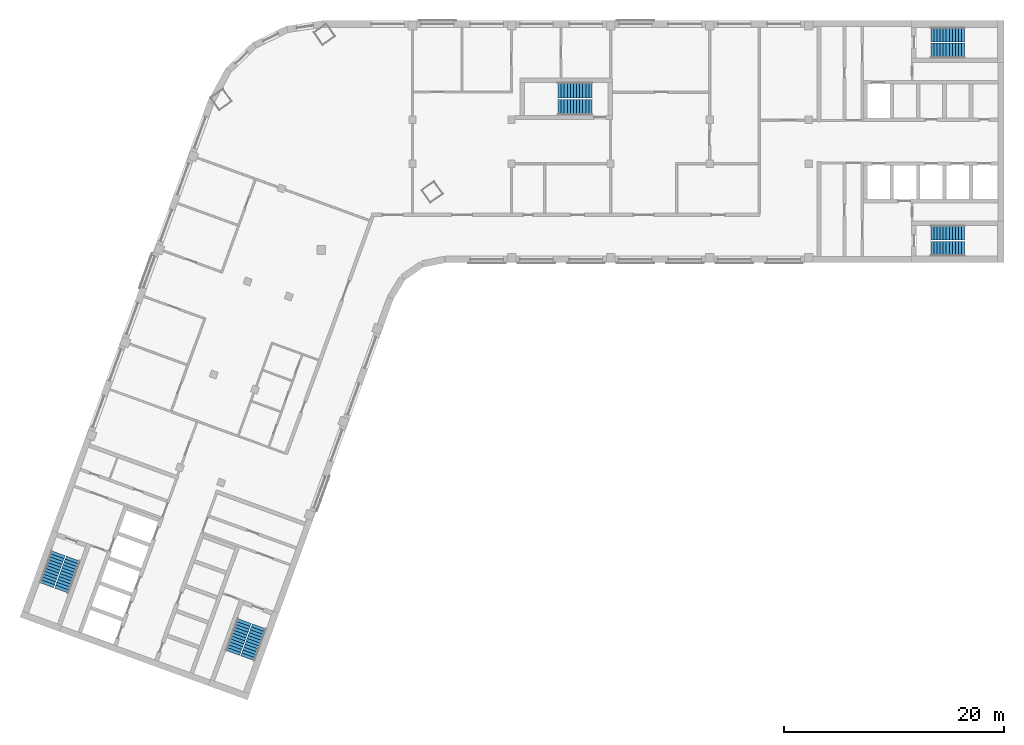
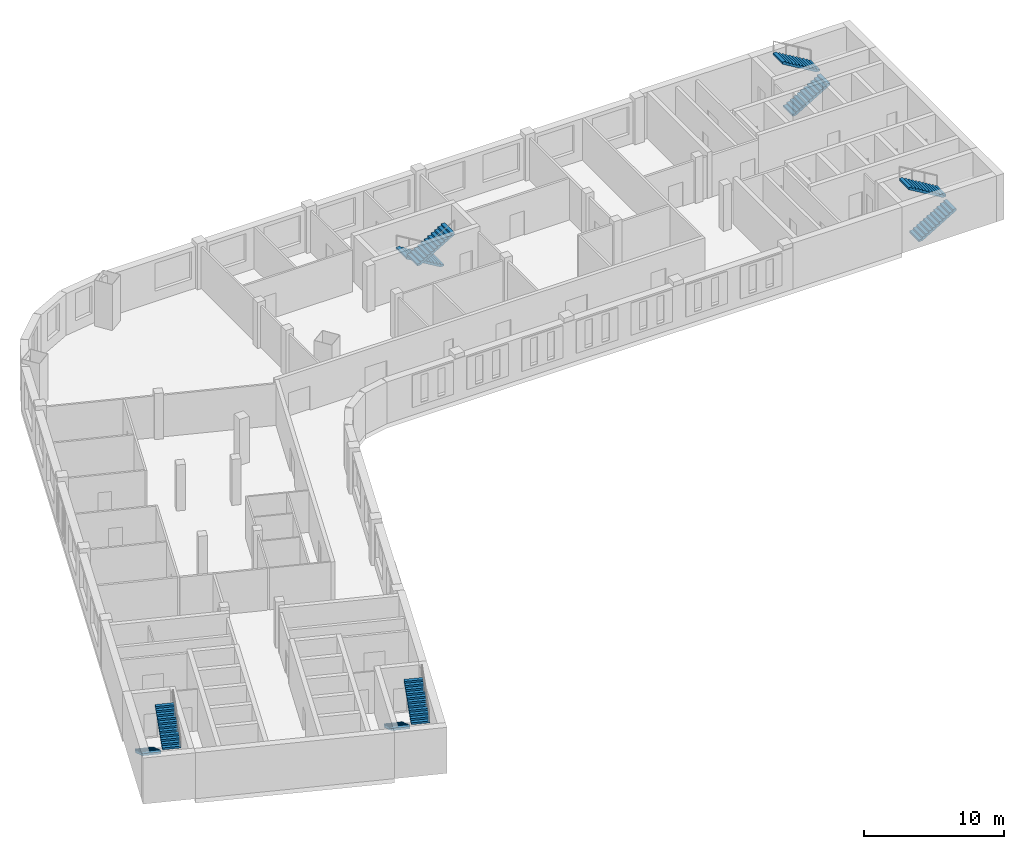
# One storey, part 7 of 8: 10 stair flights, 5 elements without a shape of their own.
"""IFC4 building model written with IfcOpenShell, lengths in metres."""

from ifc_helpers import new_model, si_unit, direction, frame, origin, place, context, subcontext, project, spatial, polyline, outline, extrude, material, type_object, element, aggregate, save


model = new_model("IFC4")

# Units and contexts
model_context = context("Model", 3, precision=1e-05, world=origin(), true_north=direction((0.0, 1.0)))
body_context = subcontext(model_context, "Body", "Model", "MODEL_VIEW")
ifc_project = project(units=[si_unit("LENGTHUNIT", "METRE"), si_unit("AREAUNIT", "SQUARE_METRE"), si_unit("VOLUMEUNIT", "CUBIC_METRE"), si_unit("PLANEANGLEUNIT", "RADIAN"), si_unit("MASSUNIT", "GRAM", prefix="KILO")], contexts=[model_context])

# Site, building, storey
site_placement = place(None, origin())
site = spatial("IfcSite", under=ifc_project, at=site_placement, CompositionType="ELEMENT")
building_placement = place(site_placement, origin())
building = spatial("IfcBuilding", under=site, at=building_placement, Name="Skarvind Civic Tower", CompositionType="ELEMENT")
storey_placement = place(building_placement, frame((0.0, 0.0, 174.5)))
storey = spatial("IfcBuildingStorey", under=building, at=storey_placement, Name="L41", CompositionType="ELEMENT", Elevation=174.5)

# Stair, stair flights
ifc_material = material(Name="Concrete C40/50", Category="concrete")
stair_type_1 = type_object("IfcStairType", Name="Exit stair 1450, half-turn, concrete", PredefinedType="HALF_TURN_STAIR", material=ifc_material)
stair_1_placement = place(storey_placement, origin())
stair_1 = element("IfcStair", 1, at=stair_1_placement, inside=storey, type_object=stair_type_1, Name="Exit stair CM", PredefinedType="HALF_TURN_STAIR")
stair_flight_type_1 = type_object("IfcStairFlightType", Name="Stair flight 1450, concrete", PredefinedType="STRAIGHT", material=ifc_material)
stair_flight_1_placement = place(storey_placement, frame((70.550048828125, 132.675048828125, 0.0), z_axis=(0.0, 0.0, 1.0), x_axis=(-1.0, 0.0, 0.0)))
stair_flight_1 = element("IfcStairFlight", 2, at=stair_flight_1_placement, type_object=stair_flight_type_1, Name="ST-CM flight 1", NumberOfRisers=12, NumberOfTreads=11, PredefinedType="STRAIGHT", RiserHeight=0.166666667, TreadLength=0.28, context=body_context, shape_type="SweptSolid", body=[
    extrude(outline(polyline([(0.0, 0.0), (0.0, 0.166748046875), (0.280029296875, 0.166748046875), (0.280029296875, 0.333251953125), (0.56005859375, 0.333251953125), (0.56005859375, 0.5), (0.840087890625, 0.5), (0.840087890625, 0.666748046875), (1.1201171875, 0.666748046875), (1.1201171875, 0.833251953125), (1.39990234375, 0.833251953125), (1.39990234375, 1.0), (1.679931640625, 1.0), (1.679931640625, 1.166748046875), (1.9599609375, 1.166748046875), (1.9599609375, 1.333251953125), (2.239990234375, 1.333251953125), (2.239990234375, 1.5), (2.52001953125, 1.5), (2.52001953125, 1.666748046875), (2.800048828125, 1.666748046875), (2.800048828125, 1.833251953125), (3.080078125, 1.833251953125), (3.080078125, 2.0), (3.080078125, 1.658935546875), (0.29296875, 0.0), (0.0, 0.0)])), frame((0.0, 0.72509765625, 0.0), z_axis=(0.0, -1.0, 0.0), x_axis=(1.0, 0.0, 0.0)), (0.0, 0.0, 1.0), 1.449951171875),
])
stair_flight_2_placement = place(storey_placement, frame((67.469970703125, 131.125, 2.0), z_axis=(0.0, 0.0, 1.0), x_axis=(1.0, 0.0, 0.0)))
stair_flight_2 = element("IfcStairFlight", 3, at=stair_flight_2_placement, type_object=stair_flight_type_1, Name="ST-CM flight 2", NumberOfRisers=12, NumberOfTreads=11, PredefinedType="STRAIGHT", RiserHeight=0.166666667, TreadLength=0.28, context=body_context, shape_type="SweptSolid", body=[
    extrude(outline(polyline([(0.0, 0.0), (0.0, 0.166748046875), (0.280029296875, 0.166748046875), (0.280029296875, 0.333251953125), (0.56005859375, 0.333251953125), (0.56005859375, 0.5), (0.840087890625, 0.5), (0.840087890625, 0.666748046875), (1.1201171875, 0.666748046875), (1.1201171875, 0.833251953125), (1.39990234375, 0.833251953125), (1.39990234375, 1.0), (1.679931640625, 1.0), (1.679931640625, 1.166748046875), (1.9599609375, 1.166748046875), (1.9599609375, 1.333251953125), (2.239990234375, 1.333251953125), (2.239990234375, 1.5), (2.52001953125, 1.5), (2.52001953125, 1.666748046875), (2.800048828125, 1.666748046875), (2.800048828125, 1.833251953125), (3.080078125, 1.833251953125), (3.080078125, 2.0), (3.080078125, 1.658935546875), (0.29296875, 0.0), (0.0, 0.0)])), frame((0.0, 0.72509765625, 0.0), z_axis=(0.0, -1.0, 0.0), x_axis=(1.0, 0.0, 0.0)), (0.0, 0.0, 1.0), 1.449951171875),
])
aggregate(stair_1, [stair_flight_1, stair_flight_2])

stair_type_2 = type_object("IfcStairType", Name="Exit stair, half-turn, concrete", PredefinedType="HALF_TURN_STAIR", material=ifc_material)
stair_2_placement = place(storey_placement, origin())
stair_2 = element("IfcStair", 4, at=stair_2_placement, inside=storey, type_object=stair_type_2, Name="Exit stair C1S", PredefinedType="HALF_TURN_STAIR")
stair_flight_type_2 = type_object("IfcStairFlightType", Name="Stair flight, concrete", PredefinedType="STRAIGHT", material=ifc_material)
stair_flight_3_placement = place(storey_placement, frame((101.35009765625, 136.27490234375, 0.0), z_axis=(0.0, 0.0, 1.0), x_axis=(1.0, 0.0, 0.0)))
stair_flight_3 = element("IfcStairFlight", 5, at=stair_flight_3_placement, type_object=stair_flight_type_2, Name="ST-C1S flight 1", NumberOfRisers=12, NumberOfTreads=11, PredefinedType="STRAIGHT", RiserHeight=0.166666667, TreadLength=0.28, context=body_context, shape_type="SweptSolid", body=[
    extrude(outline(polyline([(0.0, 0.0), (0.0, 0.166748046875), (0.280029296875, 0.166748046875), (0.280029296875, 0.333251953125), (0.56005859375, 0.333251953125), (0.56005859375, 0.5), (0.840087890625, 0.5), (0.840087890625, 0.666748046875), (1.1201171875, 0.666748046875), (1.1201171875, 0.833251953125), (1.39990234375, 0.833251953125), (1.39990234375, 1.0), (1.679931640625, 1.0), (1.679931640625, 1.166748046875), (1.9599609375, 1.166748046875), (1.9599609375, 1.333251953125), (2.239990234375, 1.333251953125), (2.239990234375, 1.5), (2.52001953125, 1.5), (2.52001953125, 1.666748046875), (2.800048828125, 1.666748046875), (2.800048828125, 1.833251953125), (3.080078125, 1.833251953125), (3.080078125, 2.0), (3.080078125, 1.658935546875), (0.29296875, 0.0), (0.0, 0.0)])), frame((0.0, 0.675048828125, 0.0), z_axis=(0.0, -1.0, 0.0), x_axis=(1.0, 0.0, 0.0)), (0.0, 0.0, 1.0), 1.35009765625),
])
stair_flight_4_placement = place(storey_placement, frame((104.429931640625, 137.72509765625, 2.0), z_axis=(0.0, 0.0, 1.0), x_axis=(-1.0, 0.0, 0.0)))
stair_flight_4 = element("IfcStairFlight", 6, at=stair_flight_4_placement, type_object=stair_flight_type_2, Name="ST-C1S flight 2", NumberOfRisers=12, NumberOfTreads=11, PredefinedType="STRAIGHT", RiserHeight=0.166666667, TreadLength=0.28, context=body_context, shape_type="SweptSolid", body=[
    extrude(outline(polyline([(0.0, 0.0), (0.0, 0.166748046875), (0.280029296875, 0.166748046875), (0.280029296875, 0.333251953125), (0.56005859375, 0.333251953125), (0.56005859375, 0.5), (0.840087890625, 0.5), (0.840087890625, 0.666748046875), (1.1201171875, 0.666748046875), (1.1201171875, 0.833251953125), (1.39990234375, 0.833251953125), (1.39990234375, 1.0), (1.679931640625, 1.0), (1.679931640625, 1.166748046875), (1.9599609375, 1.166748046875), (1.9599609375, 1.333251953125), (2.239990234375, 1.333251953125), (2.239990234375, 1.5), (2.52001953125, 1.5), (2.52001953125, 1.666748046875), (2.800048828125, 1.666748046875), (2.800048828125, 1.833251953125), (3.080078125, 1.833251953125), (3.080078125, 2.0), (3.080078125, 1.658935546875), (0.29296875, 0.0), (0.0, 0.0)])), frame((0.0, 0.675048828125, 0.0), z_axis=(0.0, -1.0, 0.0), x_axis=(1.0, 0.0, 0.0)), (0.0, 0.0, 1.0), 1.35009765625),
])
aggregate(stair_2, [stair_flight_3, stair_flight_4])

stair_3_placement = place(storey_placement, origin())
stair_3 = element("IfcStair", 7, at=stair_3_placement, inside=storey, type_object=stair_type_2, Name="Exit stair C1N", PredefinedType="HALF_TURN_STAIR")
stair_flight_5_placement = place(storey_placement, frame((101.35009765625, 118.27490234375, 0.0), z_axis=(0.0, 0.0, 1.0), x_axis=(1.0, 0.0, 0.0)))
stair_flight_5 = element("IfcStairFlight", 8, at=stair_flight_5_placement, type_object=stair_flight_type_2, Name="ST-C1N flight 1", NumberOfRisers=12, NumberOfTreads=11, PredefinedType="STRAIGHT", RiserHeight=0.166666667, TreadLength=0.28, context=body_context, shape_type="SweptSolid", body=[
    extrude(outline(polyline([(0.0, 0.0), (0.0, 0.166748046875), (0.280029296875, 0.166748046875), (0.280029296875, 0.333251953125), (0.56005859375, 0.333251953125), (0.56005859375, 0.5), (0.840087890625, 0.5), (0.840087890625, 0.666748046875), (1.1201171875, 0.666748046875), (1.1201171875, 0.833251953125), (1.39990234375, 0.833251953125), (1.39990234375, 1.0), (1.679931640625, 1.0), (1.679931640625, 1.166748046875), (1.9599609375, 1.166748046875), (1.9599609375, 1.333251953125), (2.239990234375, 1.333251953125), (2.239990234375, 1.5), (2.52001953125, 1.5), (2.52001953125, 1.666748046875), (2.800048828125, 1.666748046875), (2.800048828125, 1.833251953125), (3.080078125, 1.833251953125), (3.080078125, 2.0), (3.080078125, 1.658935546875), (0.29296875, 0.0), (0.0, 0.0)])), frame((0.0, 0.675048828125, 0.0), z_axis=(0.0, -1.0, 0.0), x_axis=(1.0, 0.0, 0.0)), (0.0, 0.0, 1.0), 1.35009765625),
])
stair_flight_6_placement = place(storey_placement, frame((104.429931640625, 119.72509765625, 2.0), z_axis=(0.0, 0.0, 1.0), x_axis=(-1.0, 0.0, 0.0)))
stair_flight_6 = element("IfcStairFlight", 9, at=stair_flight_6_placement, type_object=stair_flight_type_2, Name="ST-C1N flight 2", NumberOfRisers=12, NumberOfTreads=11, PredefinedType="STRAIGHT", RiserHeight=0.166666667, TreadLength=0.28, context=body_context, shape_type="SweptSolid", body=[
    extrude(outline(polyline([(0.0, 0.0), (0.0, 0.166748046875), (0.280029296875, 0.166748046875), (0.280029296875, 0.333251953125), (0.56005859375, 0.333251953125), (0.56005859375, 0.5), (0.840087890625, 0.5), (0.840087890625, 0.666748046875), (1.1201171875, 0.666748046875), (1.1201171875, 0.833251953125), (1.39990234375, 0.833251953125), (1.39990234375, 1.0), (1.679931640625, 1.0), (1.679931640625, 1.166748046875), (1.9599609375, 1.166748046875), (1.9599609375, 1.333251953125), (2.239990234375, 1.333251953125), (2.239990234375, 1.5), (2.52001953125, 1.5), (2.52001953125, 1.666748046875), (2.800048828125, 1.666748046875), (2.800048828125, 1.833251953125), (3.080078125, 1.833251953125), (3.080078125, 2.0), (3.080078125, 1.658935546875), (0.29296875, 0.0), (0.0, 0.0)])), frame((0.0, 0.675048828125, 0.0), z_axis=(0.0, -1.0, 0.0), x_axis=(1.0, 0.0, 0.0)), (0.0, 0.0, 1.0), 1.35009765625),
])
aggregate(stair_3, [stair_flight_5, stair_flight_6])

stair_4_placement = place(storey_placement, origin())
stair_4 = element("IfcStair", 10, at=stair_4_placement, inside=storey, type_object=stair_type_2, Name="Exit stair C2S", PredefinedType="HALF_TURN_STAIR")
stair_flight_7_placement = place(storey_placement, frame((38.949462890625, 84.43408203125, 0.0), z_axis=(0.0, 0.0, 1.0), x_axis=(-0.342020143326, -0.939692620786, 0.0)))
stair_flight_7 = element("IfcStairFlight", 11, at=stair_flight_7_placement, type_object=stair_flight_type_2, Name="ST-C2S flight 1", NumberOfRisers=12, NumberOfTreads=11, PredefinedType="STRAIGHT", RiserHeight=0.166666667, TreadLength=0.28, context=body_context, shape_type="SweptSolid", body=[
    extrude(outline(polyline([(0.0, 0.0), (0.0, 0.166748046875), (0.280029296875, 0.166748046875), (0.280029296875, 0.333251953125), (0.56005859375, 0.333251953125), (0.56005859375, 0.5), (0.840087890625, 0.5), (0.840087890625, 0.666748046875), (1.1201171875, 0.666748046875), (1.1201171875, 0.833251953125), (1.39990234375, 0.833251953125), (1.39990234375, 1.0), (1.679931640625, 1.0), (1.679931640625, 1.166748046875), (1.9599609375, 1.166748046875), (1.9599609375, 1.333251953125), (2.239990234375, 1.333251953125), (2.239990234375, 1.5), (2.52001953125, 1.5), (2.52001953125, 1.666748046875), (2.800048828125, 1.666748046875), (2.800048828125, 1.833251953125), (3.080078125, 1.833251953125), (3.080078125, 2.0), (3.080078125, 1.658935546875), (0.29296875, 0.0), (0.0, 0.0)])), frame((0.0, 0.675048828125, 0.0), z_axis=(0.0, -1.0, 0.0), x_axis=(1.0, 0.0, 0.0)), (0.0, 0.0, 1.0), 1.35009765625),
])
stair_flight_8_placement = place(storey_placement, frame((39.258544921875, 81.0439453125, 2.0), z_axis=(0.0, 0.0, 1.0), x_axis=(0.342020143326, 0.939692620786, 0.0)))
stair_flight_8 = element("IfcStairFlight", 12, at=stair_flight_8_placement, type_object=stair_flight_type_2, Name="ST-C2S flight 2", NumberOfRisers=12, NumberOfTreads=11, PredefinedType="STRAIGHT", RiserHeight=0.166666667, TreadLength=0.28, context=body_context, shape_type="SweptSolid", body=[
    extrude(outline(polyline([(0.0, 0.0), (0.0, 0.166748046875), (0.280029296875, 0.166748046875), (0.280029296875, 0.333251953125), (0.56005859375, 0.333251953125), (0.56005859375, 0.5), (0.840087890625, 0.5), (0.840087890625, 0.666748046875), (1.1201171875, 0.666748046875), (1.1201171875, 0.833251953125), (1.39990234375, 0.833251953125), (1.39990234375, 1.0), (1.679931640625, 1.0), (1.679931640625, 1.166748046875), (1.9599609375, 1.166748046875), (1.9599609375, 1.333251953125), (2.239990234375, 1.333251953125), (2.239990234375, 1.5), (2.52001953125, 1.5), (2.52001953125, 1.666748046875), (2.800048828125, 1.666748046875), (2.800048828125, 1.833251953125), (3.080078125, 1.833251953125), (3.080078125, 2.0), (3.080078125, 1.658935546875), (0.29296875, 0.0), (0.0, 0.0)])), frame((0.0, 0.675048828125, 0.0), z_axis=(0.0, -1.0, 0.0), x_axis=(1.0, 0.0, 0.0)), (0.0, 0.0, 1.0), 1.35009765625),
])
aggregate(stair_4, [stair_flight_7, stair_flight_8])

stair_5_placement = place(storey_placement, origin())
stair_5 = element("IfcStair", 13, at=stair_5_placement, inside=storey, type_object=stair_type_2, Name="Exit stair C2N", PredefinedType="HALF_TURN_STAIR")
stair_flight_9_placement = place(storey_placement, frame((22.034912109375, 90.590576171875, 0.0), z_axis=(0.0, 0.0, 1.0), x_axis=(-0.342020143326, -0.939692620786, 0.0)))
stair_flight_9 = element("IfcStairFlight", 14, at=stair_flight_9_placement, type_object=stair_flight_type_2, Name="ST-C2N flight 1", NumberOfRisers=12, NumberOfTreads=11, PredefinedType="STRAIGHT", RiserHeight=0.166666667, TreadLength=0.28, context=body_context, shape_type="SweptSolid", body=[
    extrude(outline(polyline([(0.0, 0.0), (0.0, 0.166748046875), (0.280029296875, 0.166748046875), (0.280029296875, 0.333251953125), (0.56005859375, 0.333251953125), (0.56005859375, 0.5), (0.840087890625, 0.5), (0.840087890625, 0.666748046875), (1.1201171875, 0.666748046875), (1.1201171875, 0.833251953125), (1.39990234375, 0.833251953125), (1.39990234375, 1.0), (1.679931640625, 1.0), (1.679931640625, 1.166748046875), (1.9599609375, 1.166748046875), (1.9599609375, 1.333251953125), (2.239990234375, 1.333251953125), (2.239990234375, 1.5), (2.52001953125, 1.5), (2.52001953125, 1.666748046875), (2.800048828125, 1.666748046875), (2.800048828125, 1.833251953125), (3.080078125, 1.833251953125), (3.080078125, 2.0), (3.080078125, 1.658935546875), (0.29296875, 0.0), (0.0, 0.0)])), frame((0.0, 0.675048828125, 0.0), z_axis=(0.0, -1.0, 0.0), x_axis=(1.0, 0.0, 0.0)), (0.0, 0.0, 1.0), 1.35009765625),
])
stair_flight_10_placement = place(storey_placement, frame((22.343994140625, 87.2001953125, 2.0), z_axis=(0.0, 0.0, 1.0), x_axis=(0.342020143326, 0.939692620786, 0.0)))
stair_flight_10 = element("IfcStairFlight", 15, at=stair_flight_10_placement, type_object=stair_flight_type_2, Name="ST-C2N flight 2", NumberOfRisers=12, NumberOfTreads=11, PredefinedType="STRAIGHT", RiserHeight=0.166666667, TreadLength=0.28, context=body_context, shape_type="SweptSolid", body=[
    extrude(outline(polyline([(0.0, 0.0), (0.0, 0.166748046875), (0.280029296875, 0.166748046875), (0.280029296875, 0.333251953125), (0.56005859375, 0.333251953125), (0.56005859375, 0.5), (0.840087890625, 0.5), (0.840087890625, 0.666748046875), (1.1201171875, 0.666748046875), (1.1201171875, 0.833251953125), (1.39990234375, 0.833251953125), (1.39990234375, 1.0), (1.679931640625, 1.0), (1.679931640625, 1.166748046875), (1.9599609375, 1.166748046875), (1.9599609375, 1.333251953125), (2.239990234375, 1.333251953125), (2.239990234375, 1.5), (2.52001953125, 1.5), (2.52001953125, 1.666748046875), (2.800048828125, 1.666748046875), (2.800048828125, 1.833251953125), (3.080078125, 1.833251953125), (3.080078125, 2.0), (3.080078125, 1.658935546875), (0.29296875, 0.0), (0.0, 0.0)])), frame((0.0, 0.675048828125, 0.0), z_axis=(0.0, -1.0, 0.0), x_axis=(1.0, 0.0, 0.0)), (0.0, 0.0, 1.0), 1.35009765625),
])
aggregate(stair_5, [stair_flight_9, stair_flight_10])

save(model, "model.ifc")
